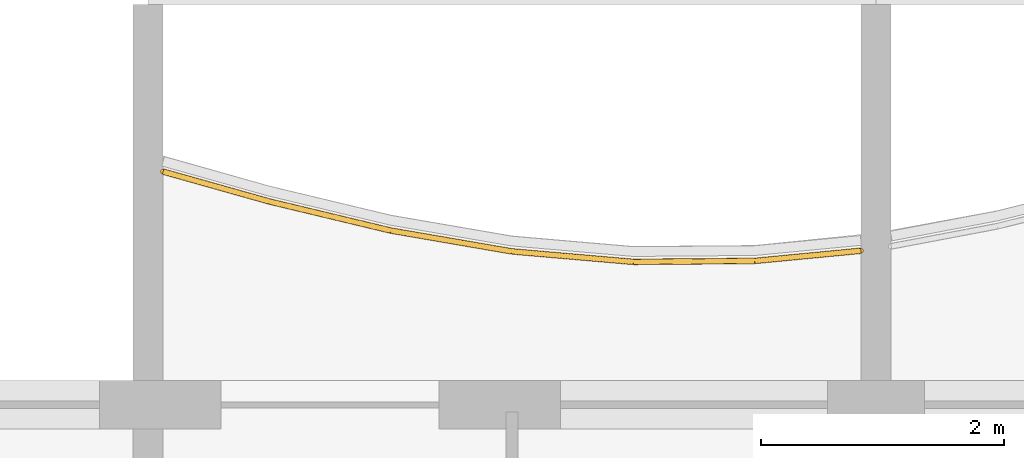
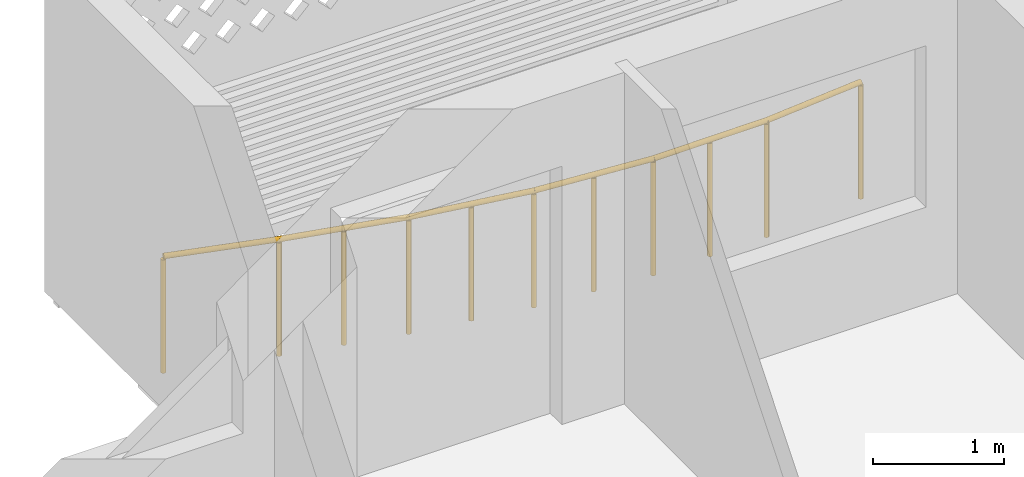
# One storey, part 23 of 26: 1 railing.
"""IFC4 building model written with IfcOpenShell, lengths in metres."""

from ifc_helpers import new_model, si_unit, direction, frame, origin, origin_2d, place, context, subcontext, project, spatial, circle, extrude, material, type_object, element, save


model = new_model("IFC4")

# Units and contexts
model_context = context("Model", 3, precision=1e-05, world=origin(), true_north=direction((0.0, 1.0)))
body_context = subcontext(model_context, "Body", "Model", "MODEL_VIEW")
ifc_project = project(units=[si_unit("LENGTHUNIT", "METRE"), si_unit("AREAUNIT", "SQUARE_METRE"), si_unit("VOLUMEUNIT", "CUBIC_METRE"), si_unit("PLANEANGLEUNIT", "RADIAN"), si_unit("MASSUNIT", "GRAM", prefix="KILO")], contexts=[model_context])

# Site, building, storey
site_placement = place(None, origin())
site = spatial("IfcSite", under=ifc_project, at=site_placement, CompositionType="ELEMENT")
building_placement = place(site_placement, origin())
building = spatial("IfcBuilding", under=site, at=building_placement, Name="Poui Terraces", CompositionType="ELEMENT")
storey_placement = place(building_placement, frame((0.0, 0.0, 175.199951171875)))
storey = spatial("IfcBuildingStorey", under=building, at=storey_placement, Name="L48", CompositionType="ELEMENT", Elevation=175.199951171875)

# Railing
ifc_material = material(Name="Painted steel fretwork", Category="steel")
railing_type = type_object("IfcRailingType", Name="BALCONY GUARD 1100", PredefinedType="GUARDRAIL", material=ifc_material)
railing_placement = place(storey_placement, frame((66.125, 43.122314453125, 0.0)))
element("IfcRailing", 1, at=railing_placement, inside=storey, type_object=railing_type, Name="BALCONY GUARD", PredefinedType="GUARDRAIL", context=body_context, shape_type="SweptSolid", body=[
    extrude(circle(Radius=0.02392578125, at=origin_2d()), frame((0.0, 0.0, 1.076171875), z_axis=(0.962650940154, -0.270745576918, 0.0), x_axis=(0.270745576918, 0.962650940154, 0.0)), (0.0, 0.0, 1.0), 0.908935546875),
    extrude(circle(Radius=0.02392578125, at=origin_2d()), frame((0.875, -0.24609375, 1.076171875), z_axis=(0.972497106951, -0.232914956523, 0.0), x_axis=(0.232914956523, 0.972497106951, 0.0)), (0.0, 0.0, 1.0), 1.0283203125),
    extrude(circle(Radius=0.02392578125, at=origin_2d()), frame((1.875, -0.485595703125, 1.076171875), z_axis=(0.985508696036, -0.16962490984, 0.0), x_axis=(0.16962490984, 0.985508696036, 0.0)), (0.0, 0.0, 1.0), 1.0146484375),
    extrude(circle(Radius=0.02392578125, at=origin_2d()), frame((2.875, -0.65771484375, 1.076171875), z_axis=(0.996306921854, -0.085863365091, 0.0), x_axis=(0.085863365091, 0.996306921854, 0.0)), (0.0, 0.0, 1.0), 1.003662109375),
    extrude(circle(Radius=0.02392578125, at=origin_2d()), frame((3.875, -0.743896484375, 1.076171875), z_axis=(0.999969483819, 0.007812261592, 0.0), x_axis=(-0.007812261592, 0.999969483819, 0.0)), (0.0, 0.0, 1.0), 1.0),
    extrude(circle(Radius=0.02392578125, at=origin_2d()), frame((4.875, -0.736083984375, 1.076171875), z_axis=(0.995425298545, 0.095543053209, 0.0), x_axis=(-0.095543053209, 0.995425298545, 0.0)), (0.0, 0.0, 1.0), 0.87890625),
    extrude(circle(Radius=0.02099609375, at=origin_2d()), origin(), (0.0, 0.0, 1.0), 1.052001953125),
    extrude(circle(Radius=0.02099609375, at=origin_2d()), frame((0.875, -0.24609375, 0.0)), (0.0, 0.0, 1.0), 1.052001953125),
    extrude(circle(Radius=0.02099609375, at=origin_2d()), frame((1.375, -0.36572265625, 0.0)), (0.0, 0.0, 1.0), 1.052001953125),
    extrude(circle(Radius=0.02099609375, at=origin_2d()), frame((1.875, -0.485595703125, 0.0)), (0.0, 0.0, 1.0), 1.052001953125),
    extrude(circle(Radius=0.02099609375, at=origin_2d()), frame((2.375, -0.57177734375, 0.0)), (0.0, 0.0, 1.0), 1.052001953125),
    extrude(circle(Radius=0.02099609375, at=origin_2d()), frame((2.875, -0.65771484375, 0.0)), (0.0, 0.0, 1.0), 1.052001953125),
    extrude(circle(Radius=0.02099609375, at=origin_2d()), frame((3.375, -0.70068359375, 0.0)), (0.0, 0.0, 1.0), 1.052001953125),
    extrude(circle(Radius=0.02099609375, at=origin_2d()), frame((3.875, -0.743896484375, 0.0)), (0.0, 0.0, 1.0), 1.052001953125),
    extrude(circle(Radius=0.02099609375, at=origin_2d()), frame((4.375, -0.739990234375, 0.0)), (0.0, 0.0, 1.0), 1.052001953125),
    extrude(circle(Radius=0.02099609375, at=origin_2d()), frame((4.875, -0.736083984375, 0.0)), (0.0, 0.0, 1.0), 1.052001953125),
    extrude(circle(Radius=0.02099609375, at=origin_2d()), frame((5.75, -0.652099609375, 0.0)), (0.0, 0.0, 1.0), 1.052001953125),
])

save(model, "model.ifc")
